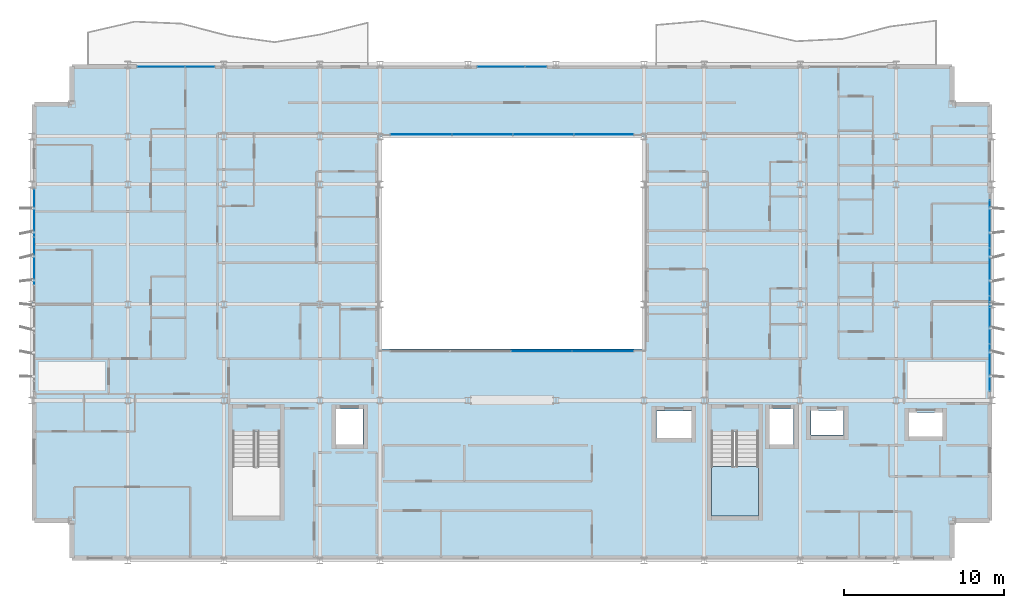
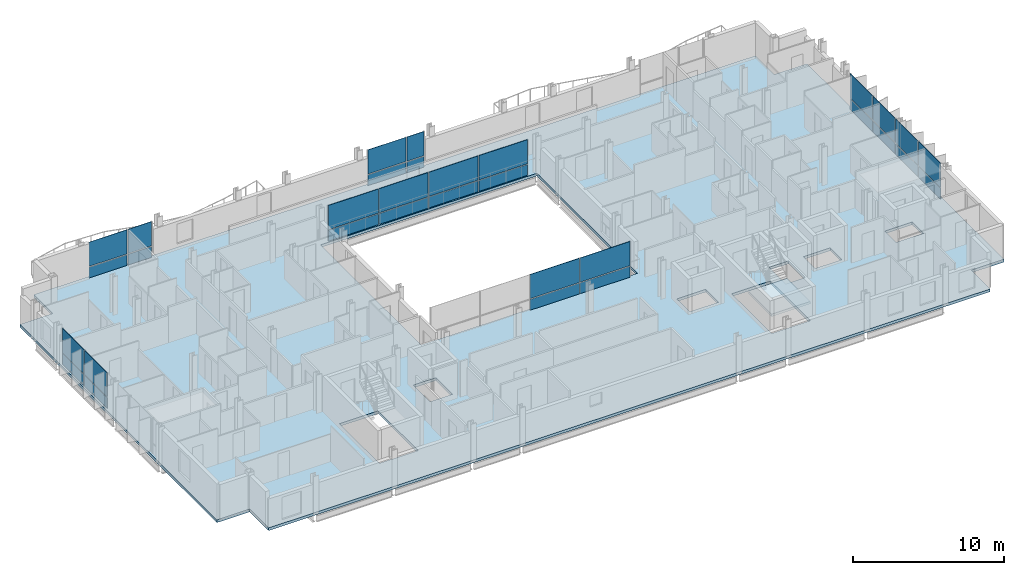
# One storey, part 23 of 38: 32 plates, 2 slabs, 7 elements without a shape of their own.
"""IFC4 building model written with IfcOpenShell, lengths in metres."""

import ifcopenshell
import ifcopenshell.guid

model = None  # the IFC model being written
_history = None  # IfcOwnerHistory: only IFC2X3 demands one
_inside = {}  # id of a spatial element -> (the spatial element, [elements in it])
_under = {}  # id of a project, library or spatial element -> (it, [spatial elements below it])
_declared = {}  # id of a project -> (the project, [libraries it declares])
_typed = {}  # id of a type object -> (the type object, [elements of that type])
_made_of = {}  # id of a material, layer set ... -> (it, [elements and type objects made of it])


def new_model(schema):
    """Start an empty IFC model of exactly this schema.

    Asked for "IFC4X3", IfcOpenShell would pick the latest addendum, in which some entities
    have other attributes; the version numbers below select the first issue.
    IFC2X3 requires an IfcOwnerHistory on every rooted entity: one is made here for all.
    """
    global model, _history
    if schema == "IFC4X3":
        model = ifcopenshell.file(schema_version=(4, 3, 0, 0))
    else:
        model = ifcopenshell.file(schema=schema)
    _inside.clear()
    _under.clear()
    _declared.clear()
    _typed.clear()
    _made_of.clear()
    _history = None
    if model.schema == "IFC2X3":
        org = make("IfcOrganization", Name="unknown")
        user = make(
            "IfcPersonAndOrganization",
            ThePerson=make("IfcPerson", FamilyName="unknown"),
            TheOrganization=org,
        )
        app = make(
            "IfcApplication",
            ApplicationDeveloper=org,
            Version="unknown",
            ApplicationFullName="unknown",
            ApplicationIdentifier="unknown",
        )
        _history = make(
            "IfcOwnerHistory",
            OwningUser=user,
            OwningApplication=app,
            ChangeAction="ADDED",
            CreationDate=0,
        )
    return model


def make(cls, **values):
    """One entity of the class cls with the attributes given. An attribute that is None is left unset."""
    return model.create_entity(
        cls, **{name: value for name, value in values.items() if value is not None}
    )


def rooted(cls, **values):
    """An entity with a GlobalId (a new one), such as an element, a storey or a relation."""
    return make(cls, GlobalId=ifcopenshell.guid.new(), OwnerHistory=_history, **values)


def si_unit(unit_type, name, prefix=None):
    """IfcSIUnit, for example si_unit("LENGTHUNIT", "METRE", prefix="MILLI")."""
    return make("IfcSIUnit", UnitType=unit_type, Prefix=prefix, Name=name)


def assignment(units):
    """IfcUnitAssignment: the units of a project."""
    return None if units is None else make("IfcUnitAssignment", Units=units)


def point(xyz):
    """IfcCartesianPoint."""
    return None if xyz is None else make("IfcCartesianPoint", Coordinates=xyz)


def direction(xyz):
    """IfcDirection."""
    return None if xyz is None else make("IfcDirection", DirectionRatios=xyz)


def frame(location, z_axis=None, x_axis=None):
    """IfcAxis2Placement3D, a coordinate frame: its origin and axes. An axis left out is left unset."""
    return make(
        "IfcAxis2Placement3D",
        Location=point(location),
        Axis=direction(z_axis),
        RefDirection=direction(x_axis),
    )


def frame_2d(location, x_axis=None):
    """IfcAxis2Placement2D, a coordinate frame in the plane: its origin and x axis."""
    return make(
        "IfcAxis2Placement2D", Location=point(location), RefDirection=direction(x_axis)
    )


def origin():
    """The frame at (0, 0, 0) with its axes left unset."""
    return frame((0.0, 0.0, 0.0))


def origin_2d():
    """The frame at (0, 0) in the plane with its x axis left unset."""
    return frame_2d((0.0, 0.0))


def place(relative_to, where):
    """IfcLocalPlacement: puts the frame where relative to a parent placement (None: the world)."""
    return make(
        "IfcLocalPlacement", PlacementRelTo=relative_to, RelativePlacement=where
    )


def context(
    kind, dimensions, precision=None, world=None, true_north=None, identifier=None
):
    """IfcGeometricRepresentationContext, for example the 3D "Model" context."""
    return make(
        "IfcGeometricRepresentationContext",
        ContextIdentifier=identifier,
        ContextType=kind,
        CoordinateSpaceDimension=dimensions,
        Precision=precision,
        WorldCoordinateSystem=world,
        TrueNorth=true_north,
    )


def subcontext(parent, identifier, kind, view, scale=None):
    """IfcGeometricRepresentationSubContext, for example "Body" below "Model"."""
    return make(
        "IfcGeometricRepresentationSubContext",
        ContextIdentifier=identifier,
        ContextType=kind,
        ParentContext=parent,
        TargetScale=scale,
        TargetView=view,
    )


def project(units=None, contexts=None):
    """IfcProject with its units and contexts."""
    return rooted(
        "IfcProject",
        Name="project",
        RepresentationContexts=contexts,
        UnitsInContext=assignment(units),
    )


def spatial(cls, under=None, at=None, **own):
    """A site, building, storey or space (cls), placed at a placement, below another one or the project."""
    s = rooted(cls, ObjectPlacement=at, **own)
    if under is not None:
        _under.setdefault(under.id(), (under, []))[1].append(s)
    return s


def polyline(points):
    """IfcPolyline through the points."""
    return make("IfcPolyline", Points=[point(p) for p in points])


def profile(cls, at=None, kind="AREA", **sizes):
    """A parametric profile (cls). Its sizes go by their IFC names, for example OverallWidth=200.0."""
    return make(cls, ProfileType=kind, Position=at, **sizes)


def rectangle(**sizes):
    """IfcRectangleProfileDef."""
    return profile("IfcRectangleProfileDef", **sizes)


def outline(outer, holes=None, kind="AREA"):
    """IfcArbitraryClosedProfileDef: a profile drawn as a closed curve; with holes, ...WithVoids."""
    if holes is None:
        return make("IfcArbitraryClosedProfileDef", ProfileType=kind, OuterCurve=outer)
    return make(
        "IfcArbitraryProfileDefWithVoids",
        ProfileType=kind,
        OuterCurve=outer,
        InnerCurves=holes,
    )


def extrude(swept, where, along, depth):
    """IfcExtrudedAreaSolid: the profile swept, set in the frame where, extruded along a direction by depth."""
    return make(
        "IfcExtrudedAreaSolid",
        SweptArea=swept,
        Position=where,
        ExtrudedDirection=direction(along),
        Depth=depth,
    )


def shape(context_of_items, identifier, shape_type, items):
    """IfcShapeRepresentation: the items that make up one representation, for example the "Body"."""
    return make(
        "IfcShapeRepresentation",
        ContextOfItems=context_of_items,
        RepresentationIdentifier=identifier,
        RepresentationType=shape_type,
        Items=items,
    )


def material(Name=None, Category=None):
    """IfcMaterial."""
    return make("IfcMaterial", Name=Name, Category=Category)


def layer(
    of_material, thickness, ventilated=None, Name=None, Category=None, Priority=None
):
    """IfcMaterialLayer: one layer of a wall or slab, of a material (None: an air gap)."""
    return make(
        "IfcMaterialLayer",
        Material=of_material,
        LayerThickness=thickness,
        IsVentilated=ventilated,
        Name=Name,
        Category=Category,
        Priority=Priority,
    )


def layer_set(layers, Name=None):
    """IfcMaterialLayerSet."""
    return make("IfcMaterialLayerSet", MaterialLayers=layers, LayerSetName=Name)


def made_of(thing, what):
    """Note that an element or type object is made of a material, layer set ...; save() writes the relation."""
    if what is not None:
        _made_of.setdefault(what.id(), (what, []))[1].append(thing)
    return thing


def type_object(cls, material=None, **own):
    """A type object (cls), such as IfcWallType, which elements share."""
    return made_of(rooted(cls, **own), material)


def element(
    cls,
    number,
    at=None,
    inside=None,
    cuts=None,
    type_object=None,
    material=None,
    context=None,
    identifier="Body",
    shape_type=None,
    held_by="IfcProductDefinitionShape",
    body=None,
    shapes=None,
    **own,
):
    """One element of the class cls, such as IfcWall. Its Tag is "e" and its number.

    at: its placement. inside: the storey or other place that contains it. cuts: it is an
    opening in that element (IfcRelVoidsElement). A single representation is given by context,
    identifier, shape_type and body (its items); several are given by shapes. held_by: the class
    of the entity that holds the representations. save() writes the other relations.
    """
    e = rooted(cls, Tag="e%d" % number, ObjectPlacement=at, **own)
    if body is not None:
        shapes = [shape(context, identifier, shape_type, body)]
    if shapes is not None:
        e.Representation = make(held_by, Representations=shapes)
    if inside is not None:
        _inside.setdefault(inside.id(), (inside, []))[1].append(e)
    if cuts is not None:
        rooted(
            "IfcRelVoidsElement", RelatingBuildingElement=cuts, RelatedOpeningElement=e
        )
    if type_object is not None:
        _typed.setdefault(type_object.id(), (type_object, []))[1].append(e)
    return made_of(e, material)


def aggregate(whole, parts):
    """IfcRelAggregates: a whole, such as a stair, and the parts it consists of."""
    return rooted("IfcRelAggregates", RelatingObject=whole, RelatedObjects=parts)


def save(model, path):
    """Write the relations noted so far, then the file.

    IfcRelAggregates (storeys below a building ...), IfcRelContainedInSpatialStructure (elements
    in a storey), IfcRelDefinesByType, IfcRelAssociatesMaterial and IfcRelDeclares: one each for
    every whole, place, type object, material and project.
    """
    for whole, parts in _under.values():
        aggregate(whole, parts)
    for where, things in _inside.values():
        rooted(
            "IfcRelContainedInSpatialStructure",
            RelatedElements=things,
            RelatingStructure=where,
        )
    for kind, things in _typed.values():
        rooted("IfcRelDefinesByType", RelatedObjects=things, RelatingType=kind)
    for what, things in _made_of.values():
        rooted("IfcRelAssociatesMaterial", RelatedObjects=things, RelatingMaterial=what)
    for by, libraries in _declared.values():
        rooted("IfcRelDeclares", RelatingContext=by, RelatedDefinitions=libraries)
    model.write(path)


model = new_model("IFC4")

# Units and contexts
model_context = context("Model", 3, precision=1e-05, world=origin(), true_north=direction((0.0, 1.0)))
body_context = subcontext(model_context, "Body", "Model", "MODEL_VIEW")
ifc_project = project(units=[si_unit("LENGTHUNIT", "METRE"), si_unit("AREAUNIT", "SQUARE_METRE"), si_unit("VOLUMEUNIT", "CUBIC_METRE"), si_unit("PLANEANGLEUNIT", "RADIAN"), si_unit("MASSUNIT", "GRAM", prefix="KILO")], contexts=[model_context])

# Site, building, storey
site_placement = place(None, origin())
site = spatial("IfcSite", under=ifc_project, at=site_placement, CompositionType="ELEMENT")
building_placement = place(site_placement, origin())
building = spatial("IfcBuilding", under=site, at=building_placement, Name="Brevholm Reach", CompositionType="ELEMENT")
storey_placement = place(building_placement, frame((0.0, 0.0, 122.10009765625)))
storey = spatial("IfcBuildingStorey", under=building, at=storey_placement, Name="L36", CompositionType="ELEMENT", Elevation=122.10009765625)

# Curtain wall, plates
ifc_material_1 = material(Name="Dark Anodised Aluminium 6063-T6 and Solar-Control Glass", Category="aluminium")
ifc_layer_1 = layer(ifc_material_1, 0.14990234375)
ifc_layer_set_1 = layer_set([ifc_layer_1], Name="Dark Anodised Aluminium 6063-T6 and Solar-Control Glass")
curtain_wall_type_1 = type_object("IfcCurtainWallType", Name="CW-01", PredefinedType="NOTDEFINED", material=ifc_layer_set_1)
curtain_wall_1_placement = place(storey_placement, origin())
curtain_wall_1 = element("IfcCurtainWall", 1, at=curtain_wall_1_placement, inside=storey, type_object=curtain_wall_type_1, Name="L36 Curtain Wall CW-01", PredefinedType="NOTDEFINED")
ifc_material_2 = material(Name="Dark Solar-Control Double-Glazed IGU Glass", Category="glass")
ifc_layer_2 = layer(ifc_material_2, 0.028076171875)
ifc_layer_set_2 = layer_set([ifc_layer_2], Name="Dark Solar-Control Double-Glazed IGU Glass")
plate_type_1 = type_object("IfcPlateType", Name="CWP-GLZ-28", PredefinedType="CURTAIN_PANEL", material=ifc_layer_set_2)
plate_1_placement = place(storey_placement, frame((0.14990234375, 21.703857421875, 0.0), z_axis=(0.0, 0.0, 1.0), x_axis=(0.0, -1.0, 0.0)))
plate_1 = element("IfcPlate", 2, at=plate_1_placement, type_object=plate_type_1, Name="CP-01 Glazing Panel 1.1", PredefinedType="CURTAIN_PANEL", context=body_context, shape_type="SweptSolid", body=[
    extrude(rectangle(XDim=2.902587890625, YDim=0.028076171875, at=origin_2d()), origin(), (0.0, 0.0, 1.0), 0.867431640625),
])
plate_2_placement = place(storey_placement, frame((0.14990234375, 21.703857421875, 0.9326171875), z_axis=(0.0, 0.0, 1.0), x_axis=(0.0, -1.0, 0.0)))
plate_2 = element("IfcPlate", 3, at=plate_2_placement, type_object=plate_type_1, Name="CP-01 Glazing Panel 1.2", PredefinedType="CURTAIN_PANEL", context=body_context, shape_type="SweptSolid", body=[
    extrude(rectangle(XDim=2.902587890625, YDim=0.028076171875, at=origin_2d()), origin(), (0.0, 0.0, 1.0), 1.947509765625),
])
plate_3_placement = place(storey_placement, frame((0.14990234375, 18.719970703125, 0.0), z_axis=(0.0, 0.0, 1.0), x_axis=(0.0, -1.0, 0.0)))
plate_3 = element("IfcPlate", 4, at=plate_3_placement, type_object=plate_type_1, Name="CP-01 Glazing Panel 2.1", PredefinedType="CURTAIN_PANEL", context=body_context, shape_type="SweptSolid", body=[
    extrude(rectangle(XDim=2.93505859375, YDim=0.028076171875, at=origin_2d()), origin(), (0.0, 0.0, 1.0), 0.867431640625),
])
plate_4_placement = place(storey_placement, frame((0.14990234375, 18.719970703125, 0.9326171875), z_axis=(0.0, 0.0, 1.0), x_axis=(0.0, -1.0, 0.0)))
plate_4 = element("IfcPlate", 5, at=plate_4_placement, type_object=plate_type_1, Name="CP-01 Glazing Panel 2.2", PredefinedType="CURTAIN_PANEL", context=body_context, shape_type="SweptSolid", body=[
    extrude(rectangle(XDim=2.93505859375, YDim=0.028076171875, at=origin_2d()), origin(), (0.0, 0.0, 1.0), 1.947509765625),
])
aggregate(curtain_wall_1, [plate_1, plate_2, plate_3, plate_4])

curtain_wall_2_placement = place(storey_placement, origin())
curtain_wall_2 = element("IfcCurtainWall", 6, at=curtain_wall_2_placement, inside=storey, type_object=curtain_wall_type_1, Name="L36 Curtain Wall CW-01", PredefinedType="NOTDEFINED")
plate_5_placement = place(storey_placement, frame((59.85009765625, 12.066162109375, 0.0), z_axis=(0.0, 0.0, 1.0), x_axis=(0.0, 1.0, 0.0)))
plate_5 = element("IfcPlate", 7, at=plate_5_placement, type_object=plate_type_1, Name="CP-01 Glazing Panel 1.1", PredefinedType="CURTAIN_PANEL", context=body_context, shape_type="SweptSolid", body=[
    extrude(rectangle(XDim=2.902587890625, YDim=0.028076171875, at=origin_2d()), origin(), (0.0, 0.0, 1.0), 0.867431640625),
])
plate_6_placement = place(storey_placement, frame((59.85009765625, 12.066162109375, 0.9326171875), z_axis=(0.0, 0.0, 1.0), x_axis=(0.0, 1.0, 0.0)))
plate_6 = element("IfcPlate", 8, at=plate_6_placement, type_object=plate_type_1, Name="CP-01 Glazing Panel 1.2", PredefinedType="CURTAIN_PANEL", context=body_context, shape_type="SweptSolid", body=[
    extrude(rectangle(XDim=2.902587890625, YDim=0.028076171875, at=origin_2d()), origin(), (0.0, 0.0, 1.0), 1.947509765625),
])
plate_7_placement = place(storey_placement, frame((59.85009765625, 15.050048828125, 0.0), z_axis=(0.0, 0.0, 1.0), x_axis=(0.0, 1.0, 0.0)))
plate_7 = element("IfcPlate", 9, at=plate_7_placement, type_object=plate_type_1, Name="CP-01 Glazing Panel 2.1", PredefinedType="CURTAIN_PANEL", context=body_context, shape_type="SweptSolid", body=[
    extrude(rectangle(XDim=2.93505859375, YDim=0.028076171875, at=origin_2d()), origin(), (0.0, 0.0, 1.0), 0.867431640625),
])
plate_8_placement = place(storey_placement, frame((59.85009765625, 15.050048828125, 0.9326171875), z_axis=(0.0, 0.0, 1.0), x_axis=(0.0, 1.0, 0.0)))
plate_8 = element("IfcPlate", 10, at=plate_8_placement, type_object=plate_type_1, Name="CP-01 Glazing Panel 2.2", PredefinedType="CURTAIN_PANEL", context=body_context, shape_type="SweptSolid", body=[
    extrude(rectangle(XDim=2.93505859375, YDim=0.028076171875, at=origin_2d()), origin(), (0.0, 0.0, 1.0), 1.947509765625),
])
plate_9_placement = place(storey_placement, frame((59.85009765625, 18.050048828125, 0.0), z_axis=(0.0, 0.0, 1.0), x_axis=(0.0, 1.0, 0.0)))
plate_9 = element("IfcPlate", 11, at=plate_9_placement, type_object=plate_type_1, Name="CP-01 Glazing Panel 3.1", PredefinedType="CURTAIN_PANEL", context=body_context, shape_type="SweptSolid", body=[
    extrude(rectangle(XDim=2.93505859375, YDim=0.028076171875, at=origin_2d()), origin(), (0.0, 0.0, 1.0), 0.867431640625),
])
plate_10_placement = place(storey_placement, frame((59.85009765625, 18.050048828125, 0.9326171875), z_axis=(0.0, 0.0, 1.0), x_axis=(0.0, 1.0, 0.0)))
plate_10 = element("IfcPlate", 12, at=plate_10_placement, type_object=plate_type_1, Name="CP-01 Glazing Panel 3.2", PredefinedType="CURTAIN_PANEL", context=body_context, shape_type="SweptSolid", body=[
    extrude(rectangle(XDim=2.93505859375, YDim=0.028076171875, at=origin_2d()), origin(), (0.0, 0.0, 1.0), 1.947509765625),
])
plate_11_placement = place(storey_placement, frame((59.85009765625, 21.050048828125, 0.0), z_axis=(0.0, 0.0, 1.0), x_axis=(0.0, 1.0, 0.0)))
plate_11 = element("IfcPlate", 13, at=plate_11_placement, type_object=plate_type_1, Name="CP-01 Glazing Panel 4.1", PredefinedType="CURTAIN_PANEL", context=body_context, shape_type="SweptSolid", body=[
    extrude(rectangle(XDim=2.93505859375, YDim=0.028076171875, at=origin_2d()), origin(), (0.0, 0.0, 1.0), 0.867431640625),
])
plate_12_placement = place(storey_placement, frame((59.85009765625, 21.050048828125, 0.9326171875), z_axis=(0.0, 0.0, 1.0), x_axis=(0.0, 1.0, 0.0)))
plate_12 = element("IfcPlate", 14, at=plate_12_placement, type_object=plate_type_1, Name="CP-01 Glazing Panel 4.2", PredefinedType="CURTAIN_PANEL", context=body_context, shape_type="SweptSolid", body=[
    extrude(rectangle(XDim=2.93505859375, YDim=0.028076171875, at=origin_2d()), origin(), (0.0, 0.0, 1.0), 1.947509765625),
])
aggregate(curtain_wall_2, [plate_5, plate_6, plate_7, plate_8, plate_9, plate_10, plate_11, plate_12])

curtain_wall_3_placement = place(storey_placement, origin())
curtain_wall_3 = element("IfcCurtainWall", 15, at=curtain_wall_3_placement, inside=storey, type_object=curtain_wall_type_1, Name="L36 Curtain Wall CW-01", PredefinedType="NOTDEFINED")
plate_13_placement = place(storey_placement, frame((8.066162109375, 30.85009765625, 0.0), z_axis=(0.0, 0.0, 1.0), x_axis=(1.0, 0.0, 0.0)))
plate_13 = element("IfcPlate", 16, at=plate_13_placement, type_object=plate_type_1, Name="CP-01 Glazing Panel 1.1", PredefinedType="CURTAIN_PANEL", context=body_context, shape_type="SweptSolid", body=[
    extrude(rectangle(XDim=2.902587890625, YDim=0.028076171875, at=origin_2d()), origin(), (0.0, 0.0, 1.0), 0.867431640625),
])
plate_14_placement = place(storey_placement, frame((8.066162109375, 30.85009765625, 0.9326171875), z_axis=(0.0, 0.0, 1.0), x_axis=(1.0, 0.0, 0.0)))
plate_14 = element("IfcPlate", 17, at=plate_14_placement, type_object=plate_type_1, Name="CP-01 Glazing Panel 1.2", PredefinedType="CURTAIN_PANEL", context=body_context, shape_type="SweptSolid", body=[
    extrude(rectangle(XDim=2.902587890625, YDim=0.028076171875, at=origin_2d()), origin(), (0.0, 0.0, 1.0), 1.947509765625),
])
plate_15_placement = place(storey_placement, frame((10.483642578125, 30.85009765625, 0.0), z_axis=(0.0, 0.0, 1.0), x_axis=(1.0, 0.0, 0.0)))
plate_15 = element("IfcPlate", 18, at=plate_15_placement, type_object=plate_type_1, Name="CP-01 Glazing Panel 2.1", PredefinedType="CURTAIN_PANEL", context=body_context, shape_type="SweptSolid", body=[
    extrude(rectangle(XDim=1.802490234375, YDim=0.028076171875, at=origin_2d()), origin(), (0.0, 0.0, 1.0), 0.867431640625),
])
plate_16_placement = place(storey_placement, frame((10.483642578125, 30.85009765625, 0.9326171875), z_axis=(0.0, 0.0, 1.0), x_axis=(1.0, 0.0, 0.0)))
plate_16 = element("IfcPlate", 19, at=plate_16_placement, type_object=plate_type_1, Name="CP-01 Glazing Panel 2.2", PredefinedType="CURTAIN_PANEL", context=body_context, shape_type="SweptSolid", body=[
    extrude(rectangle(XDim=1.802490234375, YDim=0.028076171875, at=origin_2d()), origin(), (0.0, 0.0, 1.0), 1.947509765625),
])
aggregate(curtain_wall_3, [plate_13, plate_14, plate_15, plate_16])

curtain_wall_4_placement = place(storey_placement, origin())
curtain_wall_4 = element("IfcCurtainWall", 20, at=curtain_wall_4_placement, inside=storey, type_object=curtain_wall_type_1, Name="L36 Curtain Wall CW-01", PredefinedType="NOTDEFINED")
plate_17_placement = place(storey_placement, frame((29.316162109375, 30.85009765625, 0.0), z_axis=(0.0, 0.0, 1.0), x_axis=(1.0, 0.0, 0.0)))
plate_17 = element("IfcPlate", 21, at=plate_17_placement, type_object=plate_type_1, Name="CP-01 Glazing Panel 1.1", PredefinedType="CURTAIN_PANEL", context=body_context, shape_type="SweptSolid", body=[
    extrude(rectangle(XDim=2.902587890625, YDim=0.028076171875, at=origin_2d()), origin(), (0.0, 0.0, 1.0), 0.867431640625),
])
plate_18_placement = place(storey_placement, frame((29.316162109375, 30.85009765625, 0.9326171875), z_axis=(0.0, 0.0, 1.0), x_axis=(1.0, 0.0, 0.0)))
plate_18 = element("IfcPlate", 22, at=plate_18_placement, type_object=plate_type_1, Name="CP-01 Glazing Panel 1.2", PredefinedType="CURTAIN_PANEL", context=body_context, shape_type="SweptSolid", body=[
    extrude(rectangle(XDim=2.902587890625, YDim=0.028076171875, at=origin_2d()), origin(), (0.0, 0.0, 1.0), 1.947509765625),
])
plate_19_placement = place(storey_placement, frame((31.483642578125, 30.85009765625, 0.0), z_axis=(0.0, 0.0, 1.0), x_axis=(1.0, 0.0, 0.0)))
plate_19 = element("IfcPlate", 23, at=plate_19_placement, type_object=plate_type_1, Name="CP-01 Glazing Panel 2.1", PredefinedType="CURTAIN_PANEL", context=body_context, shape_type="SweptSolid", body=[
    extrude(rectangle(XDim=1.302490234375, YDim=0.028076171875, at=origin_2d()), origin(), (0.0, 0.0, 1.0), 0.867431640625),
])
plate_20_placement = place(storey_placement, frame((31.483642578125, 30.85009765625, 0.9326171875), z_axis=(0.0, 0.0, 1.0), x_axis=(1.0, 0.0, 0.0)))
plate_20 = element("IfcPlate", 24, at=plate_20_placement, type_object=plate_type_1, Name="CP-01 Glazing Panel 2.2", PredefinedType="CURTAIN_PANEL", context=body_context, shape_type="SweptSolid", body=[
    extrude(rectangle(XDim=1.302490234375, YDim=0.028076171875, at=origin_2d()), origin(), (0.0, 0.0, 1.0), 1.947509765625),
])
aggregate(curtain_wall_4, [plate_17, plate_18, plate_19, plate_20])

ifc_material_3 = material(Name="Dark Anodised Aluminium 6063-T6 and Solar-Control Glass", Category="aluminium")
ifc_layer_3 = layer(ifc_material_3, 0.139892578125)
ifc_layer_set_3 = layer_set([ifc_layer_3], Name="Dark Anodised Aluminium 6063-T6 and Solar-Control Glass")
curtain_wall_type_2 = type_object("IfcCurtainWallType", Name="CW-02", PredefinedType="NOTDEFINED", material=ifc_layer_set_3)
curtain_wall_5_placement = place(storey_placement, origin())
curtain_wall_5 = element("IfcCurtainWall", 25, at=curtain_wall_5_placement, inside=storey, type_object=curtain_wall_type_2, Name="L36 Curtain Wall CW-02", PredefinedType="NOTDEFINED")
ifc_material_4 = material(Name="Low-Iron Laminated Acoustic Glass", Category="glass")
ifc_layer_4 = layer(ifc_material_4, 0.035888671875)
ifc_layer_set_4 = layer_set([ifc_layer_4], Name="Low-Iron Laminated Acoustic Glass")
plate_type_2 = type_object("IfcPlateType", Name="CWP-GLZ-36", PredefinedType="CURTAIN_PANEL", material=ifc_layer_set_4)
plate_21_placement = place(storey_placement, frame((31.85009765625, 13.080078125, -0.000244140625), z_axis=(0.0, 0.0, 1.0), x_axis=(1.0, 0.0, 0.0)))
plate_21 = element("IfcPlate", 26, at=plate_21_placement, type_object=plate_type_2, Name="CP-02 Glazing Panel 3.1", PredefinedType="CURTAIN_PANEL", context=body_context, shape_type="SweptSolid", body=[
    extrude(rectangle(XDim=3.739990234375, YDim=0.035888671875, at=origin_2d()), origin(), (0.0, 0.0, 1.0), 0.8701171875),
])
plate_22_placement = place(storey_placement, frame((31.85009765625, 13.080078125, 0.9296875), z_axis=(0.0, 0.0, 1.0), x_axis=(1.0, 0.0, 0.0)))
plate_22 = element("IfcPlate", 27, at=plate_22_placement, type_object=plate_type_2, Name="CP-02 Glazing Panel 3.2", PredefinedType="CURTAIN_PANEL", context=body_context, shape_type="SweptSolid", body=[
    extrude(rectangle(XDim=3.739990234375, YDim=0.035888671875, at=origin_2d()), origin(), (0.0, 0.0, 1.0), 1.949951171875),
])
plate_23_placement = place(storey_placement, frame((35.68505859375, 13.080078125, -0.000244140625), z_axis=(0.0, 0.0, 1.0), x_axis=(1.0, 0.0, 0.0)))
plate_23 = element("IfcPlate", 28, at=plate_23_placement, type_object=plate_type_2, Name="CP-02 Glazing Panel 4.1", PredefinedType="CURTAIN_PANEL", context=body_context, shape_type="SweptSolid", body=[
    extrude(rectangle(XDim=3.81005859375, YDim=0.035888671875, at=origin_2d()), origin(), (0.0, 0.0, 1.0), 0.8701171875),
])
plate_24_placement = place(storey_placement, frame((35.68505859375, 13.080078125, 0.9296875), z_axis=(0.0, 0.0, 1.0), x_axis=(1.0, 0.0, 0.0)))
plate_24 = element("IfcPlate", 29, at=plate_24_placement, type_object=plate_type_2, Name="CP-02 Glazing Panel 4.2", PredefinedType="CURTAIN_PANEL", context=body_context, shape_type="SweptSolid", body=[
    extrude(rectangle(XDim=3.81005859375, YDim=0.035888671875, at=origin_2d()), origin(), (0.0, 0.0, 1.0), 1.949951171875),
])
aggregate(curtain_wall_5, [plate_21, plate_22, plate_23, plate_24])

curtain_wall_6_placement = place(storey_placement, origin())
curtain_wall_6 = element("IfcCurtainWall", 30, at=curtain_wall_6_placement, inside=storey, type_object=curtain_wall_type_2, Name="L36 Curtain Wall CW-02", PredefinedType="NOTDEFINED")
plate_25_placement = place(storey_placement, frame((35.735107421875, 26.6201171875, -0.000244140625), z_axis=(0.0, 0.0, 1.0), x_axis=(-1.0, 0.0, 0.0)))
plate_25 = element("IfcPlate", 31, at=plate_25_placement, type_object=plate_type_2, Name="CP-02 Glazing Panel 1.1", PredefinedType="CURTAIN_PANEL", context=body_context, shape_type="SweptSolid", body=[
    extrude(rectangle(XDim=3.7099609375, YDim=0.035888671875, at=origin_2d()), origin(), (0.0, 0.0, 1.0), 0.8701171875),
])
plate_26_placement = place(storey_placement, frame((35.735107421875, 26.6201171875, 0.9296875), z_axis=(0.0, 0.0, 1.0), x_axis=(-1.0, 0.0, 0.0)))
plate_26 = element("IfcPlate", 32, at=plate_26_placement, type_object=plate_type_2, Name="CP-02 Glazing Panel 1.2", PredefinedType="CURTAIN_PANEL", context=body_context, shape_type="SweptSolid", body=[
    extrude(rectangle(XDim=3.7099609375, YDim=0.035888671875, at=origin_2d()), origin(), (0.0, 0.0, 1.0), 1.949951171875),
])
plate_27_placement = place(storey_placement, frame((31.949951171875, 26.6201171875, -0.000244140625), z_axis=(0.0, 0.0, 1.0), x_axis=(-1.0, 0.0, 0.0)))
plate_27 = element("IfcPlate", 33, at=plate_27_placement, type_object=plate_type_2, Name="CP-02 Glazing Panel 2.1", PredefinedType="CURTAIN_PANEL", context=body_context, shape_type="SweptSolid", body=[
    extrude(rectangle(XDim=3.739990234375, YDim=0.035888671875, at=origin_2d()), origin(), (0.0, 0.0, 1.0), 0.8701171875),
])
plate_28_placement = place(storey_placement, frame((31.949951171875, 26.6201171875, 0.9296875), z_axis=(0.0, 0.0, 1.0), x_axis=(-1.0, 0.0, 0.0)))
plate_28 = element("IfcPlate", 34, at=plate_28_placement, type_object=plate_type_2, Name="CP-02 Glazing Panel 2.2", PredefinedType="CURTAIN_PANEL", context=body_context, shape_type="SweptSolid", body=[
    extrude(rectangle(XDim=3.739990234375, YDim=0.035888671875, at=origin_2d()), origin(), (0.0, 0.0, 1.0), 1.949951171875),
])
plate_29_placement = place(storey_placement, frame((28.14990234375, 26.6201171875, -0.000244140625), z_axis=(0.0, 0.0, 1.0), x_axis=(-1.0, 0.0, 0.0)))
plate_29 = element("IfcPlate", 35, at=plate_29_placement, type_object=plate_type_2, Name="CP-02 Glazing Panel 3.1", PredefinedType="CURTAIN_PANEL", context=body_context, shape_type="SweptSolid", body=[
    extrude(rectangle(XDim=3.739990234375, YDim=0.035888671875, at=origin_2d()), origin(), (0.0, 0.0, 1.0), 0.8701171875),
])
plate_30_placement = place(storey_placement, frame((28.14990234375, 26.6201171875, 0.9296875), z_axis=(0.0, 0.0, 1.0), x_axis=(-1.0, 0.0, 0.0)))
plate_30 = element("IfcPlate", 36, at=plate_30_placement, type_object=plate_type_2, Name="CP-02 Glazing Panel 3.2", PredefinedType="CURTAIN_PANEL", context=body_context, shape_type="SweptSolid", body=[
    extrude(rectangle(XDim=3.739990234375, YDim=0.035888671875, at=origin_2d()), origin(), (0.0, 0.0, 1.0), 1.949951171875),
])
plate_31_placement = place(storey_placement, frame((24.31494140625, 26.6201171875, -0.000244140625), z_axis=(0.0, 0.0, 1.0), x_axis=(-1.0, 0.0, 0.0)))
plate_31 = element("IfcPlate", 37, at=plate_31_placement, type_object=plate_type_2, Name="CP-02 Glazing Panel 4.1", PredefinedType="CURTAIN_PANEL", context=body_context, shape_type="SweptSolid", body=[
    extrude(rectangle(XDim=3.81005859375, YDim=0.035888671875, at=origin_2d()), origin(), (0.0, 0.0, 1.0), 0.8701171875),
])
plate_32_placement = place(storey_placement, frame((24.31494140625, 26.6201171875, 0.9296875), z_axis=(0.0, 0.0, 1.0), x_axis=(-1.0, 0.0, 0.0)))
plate_32 = element("IfcPlate", 38, at=plate_32_placement, type_object=plate_type_2, Name="CP-02 Glazing Panel 4.2", PredefinedType="CURTAIN_PANEL", context=body_context, shape_type="SweptSolid", body=[
    extrude(rectangle(XDim=3.81005859375, YDim=0.035888671875, at=origin_2d()), origin(), (0.0, 0.0, 1.0), 1.949951171875),
])
aggregate(curtain_wall_6, [plate_25, plate_26, plate_27, plate_28, plate_29, plate_30, plate_31, plate_32])

# Slab
ifc_material_5 = material(Name="Concrete C40/50", Category="concrete")
ifc_layer_5 = layer(ifc_material_5, 0.219970703125)
ifc_layer_set_5 = layer_set([ifc_layer_5], Name="Concrete C40/50")
slab_type_1 = type_object("IfcSlabType", Name="SLB-FL-220", PredefinedType="FLOOR", material=ifc_layer_set_5)
slab_1_placement = place(storey_placement, frame((0.0, 0.0, -0.22021484375)))
element("IfcSlab", 39, at=slab_1_placement, inside=storey, type_object=slab_type_1, Name="L36 Suspended Floor Slab (main)", PredefinedType="FLOOR", context=body_context, shape_type="SweptSolid", body=[
    extrude(outline(polyline([(2.5, 0.0), (57.5, 0.0), (57.5, 2.5), (60.0, 2.5), (60.0, 28.5), (57.5, 28.5), (57.5, 31.0), (2.5, 31.0), (2.5, 28.5), (0.0, 28.5), (0.0, 2.5), (2.5, 2.5), (2.5, 0.0)]), holes=[polyline([(21.75, 13.199951171875), (38.25, 13.199951171875), (38.25, 26.5), (21.75, 26.5), (21.75, 13.199951171875)]), polyline([(12.550048828125, 2.780029296875), (15.5, 2.780029296875), (15.5, 8.044921875), (12.550048828125, 8.044921875), (12.550048828125, 2.780029296875)]), polyline([(42.449951171875, 2.780029296875), (45.39990234375, 2.780029296875), (45.39990234375, 8.044921875), (42.449951171875, 8.044921875), (42.449951171875, 2.780029296875)]), polyline([(19.0, 7.25), (20.699951171875, 7.25), (20.699951171875, 9.449951171875), (19.0, 9.449951171875), (19.0, 7.25)]), polyline([(46.10009765625, 7.25), (47.60009765625, 7.25), (47.60009765625, 9.449951171875), (46.10009765625, 9.449951171875), (46.10009765625, 7.25)]), polyline([(48.675048828125, 7.824951171875), (50.72509765625, 7.824951171875), (50.72509765625, 9.375), (48.675048828125, 9.375), (48.675048828125, 7.824951171875)]), polyline([(54.800048828125, 7.75), (56.89990234375, 7.75), (56.89990234375, 9.25), (54.800048828125, 9.25), (54.800048828125, 7.75)]), polyline([(39.02001953125, 7.64990234375), (41.219970703125, 7.64990234375), (41.219970703125, 9.35009765625), (39.02001953125, 9.35009765625), (39.02001953125, 7.64990234375)])]), origin(), (0.0, 0.0, 1.0), 0.22021484375),
])

# Stair, slab
ifc_material_6 = material(Name="Precast Concrete C40/50", Category="concrete")
stair_type = type_object("IfcStairType", Name="STR-ESC-1400", PredefinedType="DOUBLE_RETURN_STAIR", material=ifc_material_6)
stair_placement = place(storey_placement, origin())
stair = element("IfcStair", 40, at=stair_placement, inside=storey, type_object=stair_type, Name="L36 ST-2", PredefinedType="DOUBLE_RETURN_STAIR")
ifc_material_7 = material(Name="Concrete C40/50", Category="concrete")
ifc_layer_6 = layer(ifc_material_7, 0.199951171875)
ifc_layer_set_6 = layer_set([ifc_layer_6], Name="Concrete C40/50")
slab_type_2 = type_object("IfcSlabType", Name="SLB-LND-200", PredefinedType="LANDING", material=ifc_layer_set_6)
slab_2_placement = place(storey_placement, frame((0.0, 0.0, 1.349853515625)))
slab_2 = element("IfcSlab", 41, at=slab_2_placement, type_object=slab_type_2, Name="ST-2 landing 1", PredefinedType="LANDING", context=body_context, shape_type="SweptSolid", body=[
    extrude(outline(polyline([(42.449951171875, 5.860107421875), (42.449951171875, 2.780029296875), (45.39990234375, 2.780029296875), (45.39990234375, 5.860107421875), (42.449951171875, 5.860107421875)])), origin(), (0.0, 0.0, 1.0), 0.199951171875),
])
aggregate(stair, [slab_2])

save(model, "model.ifc")
